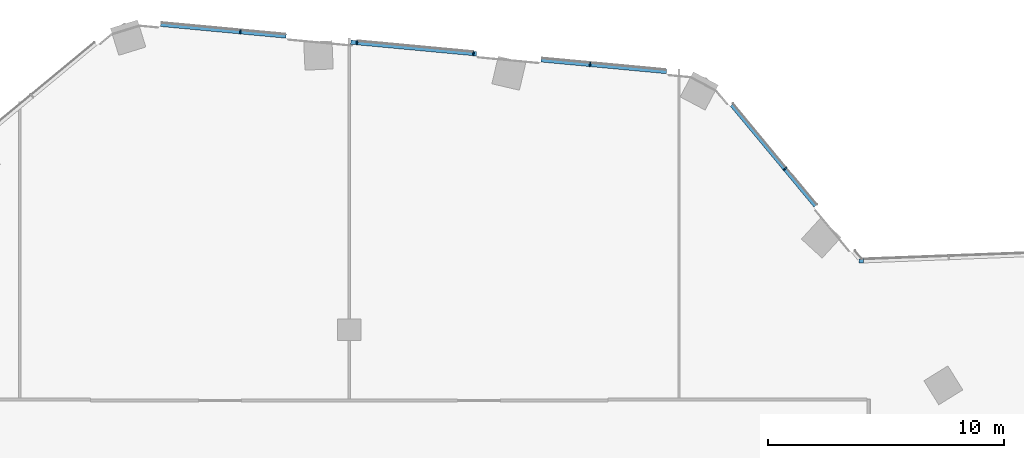
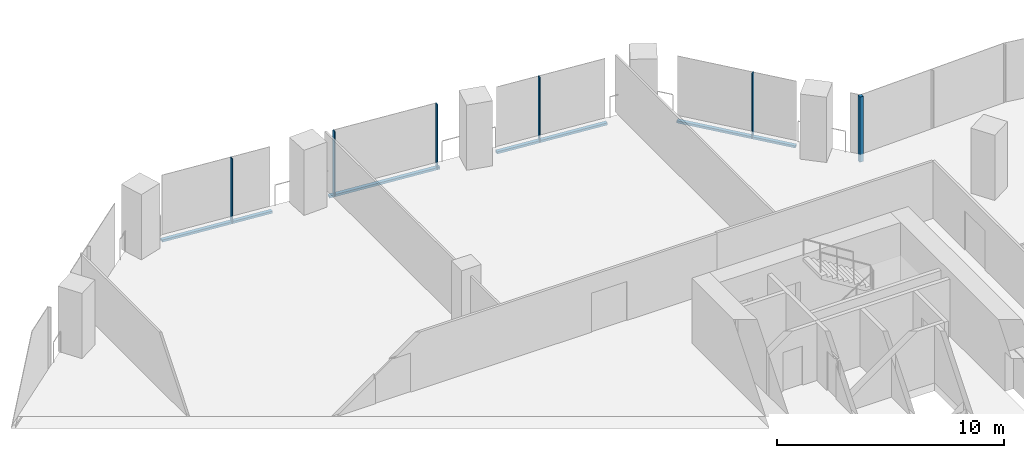
# One storey, part 10 of 28: 10 members, 3 elements without a shape of their own.
"""IFC4 building model written with IfcOpenShell, lengths in metres."""

from ifc_helpers import new_model, si_unit, direction, frame, origin, origin_2d, place, context, subcontext, project, spatial, rectangle, extrude, material, material_profile, profile_set, type_object, element, aggregate, save


model = new_model("IFC4")

# Units and contexts
model_context = context("Model", 3, precision=1e-05, world=origin(), true_north=direction((0.0, 1.0)))
body_context = subcontext(model_context, "Body", "Model", "MODEL_VIEW")
ifc_project = project(units=[si_unit("LENGTHUNIT", "METRE"), si_unit("AREAUNIT", "SQUARE_METRE"), si_unit("VOLUMEUNIT", "CUBIC_METRE"), si_unit("PLANEANGLEUNIT", "RADIAN"), si_unit("MASSUNIT", "GRAM", prefix="KILO")], contexts=[model_context])

# Site, building, storey
site_placement = place(None, origin())
site = spatial("IfcSite", under=ifc_project, at=site_placement, CompositionType="ELEMENT")
building_placement = place(site_placement, origin())
building = spatial("IfcBuilding", under=site, at=building_placement, Name="Orlundy Tower", CompositionType="ELEMENT")
storey_placement = place(building_placement, frame((0.0, 0.0, 167.10009765625)))
storey = spatial("IfcBuildingStorey", under=building, at=storey_placement, Name="L43", CompositionType="ELEMENT", Elevation=167.10009765625)

# Curtain wall, member
ifc_material_1 = material(Name="Aluminium bronze anodised", Category="aluminium")
curtain_wall_type = type_object("IfcCurtainWallType", Name="CW1 wall", PredefinedType="NOTDEFINED", material=ifc_material_1)
curtain_wall_1_placement = place(storey_placement, origin())
curtain_wall_1 = element("IfcCurtainWall", 1, at=curtain_wall_1_placement, inside=storey, type_object=curtain_wall_type, Name="CW1 run 06", PredefinedType="NOTDEFINED")
ifc_material_2 = material(Name="Aluminium bronze anodised", Category="aluminium")
ifc_material_profile_1 = material_profile(ifc_material_2, rectangle(XDim=0.179931640625, YDim=0.179931640625, at=origin_2d()), Name="CW1 corner post 180x180")
ifc_profile_set_1 = profile_set([ifc_material_profile_1], Name="Aluminium bronze anodised")
member_type_1 = type_object("IfcMemberType", Name="CW1 corner post 180x180", PredefinedType="MULLION", material=ifc_profile_set_1)
member_1_placement = place(storey_placement, frame((21.73583984375, 20.926513671875, -0.420166015625), z_axis=(0.0, 0.0, 1.0), x_axis=(-0.037836578056, 0.99928394031, 0.0)))
member_1 = element("IfcMember", 2, at=member_1_placement, type_object=member_type_1, Name="CW1 mullion 26", PredefinedType="MULLION", context=body_context, shape_type="SweptSolid", body=[
    extrude(rectangle(XDim=0.179931640625, YDim=0.179931640625, at=origin_2d()), origin(), (0.0, 0.0, 1.0), 3.5),
])
aggregate(curtain_wall_1, [member_1])

# Curtain wall, members
curtain_wall_2_placement = place(storey_placement, origin())
curtain_wall_2 = element("IfcCurtainWall", 3, at=curtain_wall_2_placement, inside=storey, type_object=curtain_wall_type, Name="CW1 run 04", PredefinedType="NOTDEFINED")
ifc_material_3 = material(Name="Aluminium bronze anodised", Category="aluminium")
ifc_material_profile_2 = material_profile(ifc_material_3, rectangle(XDim=0.179931640625, YDim=0.050048828125, at=origin_2d()), Name="CW1 mullion 50x180")
ifc_profile_set_2 = profile_set([ifc_material_profile_2], Name="Aluminium bronze anodised")
member_type_2 = type_object("IfcMemberType", Name="CW1 mullion 50x180", PredefinedType="MULLION", material=ifc_profile_set_2)
member_2_placement = place(storey_placement, frame((-4.626708984375, 30.652587890625, -0.420166015625), z_axis=(0.0, 0.0, 1.0), x_axis=(0.092948066811, 0.995670958136, 0.0)))
member_2 = element("IfcMember", 4, at=member_2_placement, type_object=member_type_2, Name="CW1 mullion 20", PredefinedType="MULLION", context=body_context, shape_type="SweptSolid", body=[
    extrude(rectangle(XDim=0.179931640625, YDim=0.050048828125, at=origin_2d()), origin(), (0.0, 0.0, 1.0), 3.5),
])
member_3_placement = place(storey_placement, frame((0.322265625, 30.190673828125, -0.420166015625), z_axis=(0.0, 0.0, 1.0), x_axis=(0.092948066811, 0.995670958136, 0.0)))
member_3 = element("IfcMember", 5, at=member_3_placement, type_object=member_type_2, Name="CW1 mullion 21", PredefinedType="MULLION", context=body_context, shape_type="SweptSolid", body=[
    extrude(rectangle(XDim=0.179931640625, YDim=0.050048828125, at=origin_2d()), origin(), (0.0, 0.0, 1.0), 3.5),
])
member_4_placement = place(storey_placement, frame((5.271484375, 29.728515625, -0.420166015625), z_axis=(0.0, 0.0, 1.0), x_axis=(0.092948066811, 0.995670958136, 0.0)))
member_4 = element("IfcMember", 6, at=member_4_placement, type_object=member_type_2, Name="CW1 mullion 22", PredefinedType="MULLION", context=body_context, shape_type="SweptSolid", body=[
    extrude(rectangle(XDim=0.179931640625, YDim=0.050048828125, at=origin_2d()), origin(), (0.0, 0.0, 1.0), 3.5),
])
member_5_placement = place(storey_placement, frame((10.220458984375, 29.2666015625, -0.420166015625), z_axis=(0.0, 0.0, 1.0), x_axis=(0.092948066811, 0.995670958136, 0.0)))
member_5 = element("IfcMember", 7, at=member_5_placement, type_object=member_type_2, Name="CW1 mullion 23", PredefinedType="MULLION", context=body_context, shape_type="SweptSolid", body=[
    extrude(rectangle(XDim=0.179931640625, YDim=0.050048828125, at=origin_2d()), origin(), (0.0, 0.0, 1.0), 3.5),
])

# Curtain wall, member
curtain_wall_3_placement = place(storey_placement, origin())
curtain_wall_3 = element("IfcCurtainWall", 8, at=curtain_wall_3_placement, inside=storey, type_object=curtain_wall_type, Name="CW1 run 05", PredefinedType="NOTDEFINED")
member_6_placement = place(storey_placement, frame((18.497314453125, 24.83251953125, -0.420166015625), z_axis=(0.0, 0.0, 1.0), x_axis=(0.769788399055, 0.638299162368, 0.0)))
member_6 = element("IfcMember", 9, at=member_6_placement, type_object=member_type_2, Name="CW1 mullion 25", PredefinedType="MULLION", context=body_context, shape_type="SweptSolid", body=[
    extrude(rectangle(XDim=0.179931640625, YDim=0.050048828125, at=origin_2d()), origin(), (0.0, 0.0, 1.0), 3.5),
])

# Member
ifc_material_4 = material(Name="Aluminium bronze anodised", Category="aluminium")
ifc_material_profile_3 = material_profile(ifc_material_4, rectangle(XDim=0.179931640625, YDim=0.1201171875, at=origin_2d()), Name="CW1 transom 180x120")
ifc_profile_set_3 = profile_set([ifc_material_profile_3], Name="Aluminium bronze anodised")
member_type_3 = type_object("IfcMemberType", Name="CW1 transom 180x120", PredefinedType="USERDEFINED", material=ifc_profile_set_3)
member_7_placement = place(storey_placement, frame((-8.005859375, 30.968017578125, -0.360107421875), z_axis=(0.995673259052, -0.09292341583, 0.0), x_axis=(0.09292341583, 0.995673259052, 0.0)))
member_7 = element("IfcMember", 10, at=member_7_placement, type_object=member_type_3, Name="CW1 transom", ObjectType="TRANSOM", PredefinedType="USERDEFINED", context=body_context, shape_type="SweptSolid", body=[
    extrude(rectangle(XDim=0.179931640625, YDim=0.1201171875, at=origin_2d()), origin(), (0.0, 0.0, 1.0), 5.3466796875),
])

member_8_placement = place(storey_placement, frame((0.064208984375, 30.214599609375, -0.360107421875), z_axis=(0.995673032908, -0.092925838921, 0.0), x_axis=(0.092925838921, 0.995673032908, 0.0)))
member_8 = element("IfcMember", 11, at=member_8_placement, type_object=member_type_3, Name="CW1 transom", ObjectType="TRANSOM", PredefinedType="USERDEFINED", context=body_context, shape_type="SweptSolid", body=[
    extrude(rectangle(XDim=0.179931640625, YDim=0.1201171875, at=origin_2d()), origin(), (0.0, 0.0, 1.0), 5.359619140625),
])

member_9_placement = place(storey_placement, frame((8.147216796875, 29.460205078125, -0.360107421875), z_axis=(0.995671005942, -0.092947554704, 0.0), x_axis=(0.092947554704, 0.995671005942, 0.0)))
member_9 = element("IfcMember", 12, at=member_9_placement, type_object=member_type_3, Name="CW1 transom", ObjectType="TRANSOM", PredefinedType="USERDEFINED", context=body_context, shape_type="SweptSolid", body=[
    extrude(rectangle(XDim=0.179931640625, YDim=0.1201171875, at=origin_2d()), origin(), (0.0, 0.0, 1.0), 5.347900390625),
])

aggregate(curtain_wall_2, [member_2, member_3, member_4, member_5, member_7, member_8, member_9])

member_10_placement = place(storey_placement, frame((16.244140625, 27.5498046875, -0.360107421875), z_axis=(0.638306081267, -0.769782661936, 0.0), x_axis=(0.769782661936, 0.638306081267, 0.0)))
member_10 = element("IfcMember", 13, at=member_10_placement, type_object=member_type_3, Name="CW1 transom", ObjectType="TRANSOM", PredefinedType="USERDEFINED", context=body_context, shape_type="SweptSolid", body=[
    extrude(rectangle(XDim=0.179931640625, YDim=0.1201171875, at=origin_2d()), origin(), (0.0, 0.0, 1.0), 5.567138671875),
])

aggregate(curtain_wall_3, [member_6, member_10])

save(model, "model.ifc")
